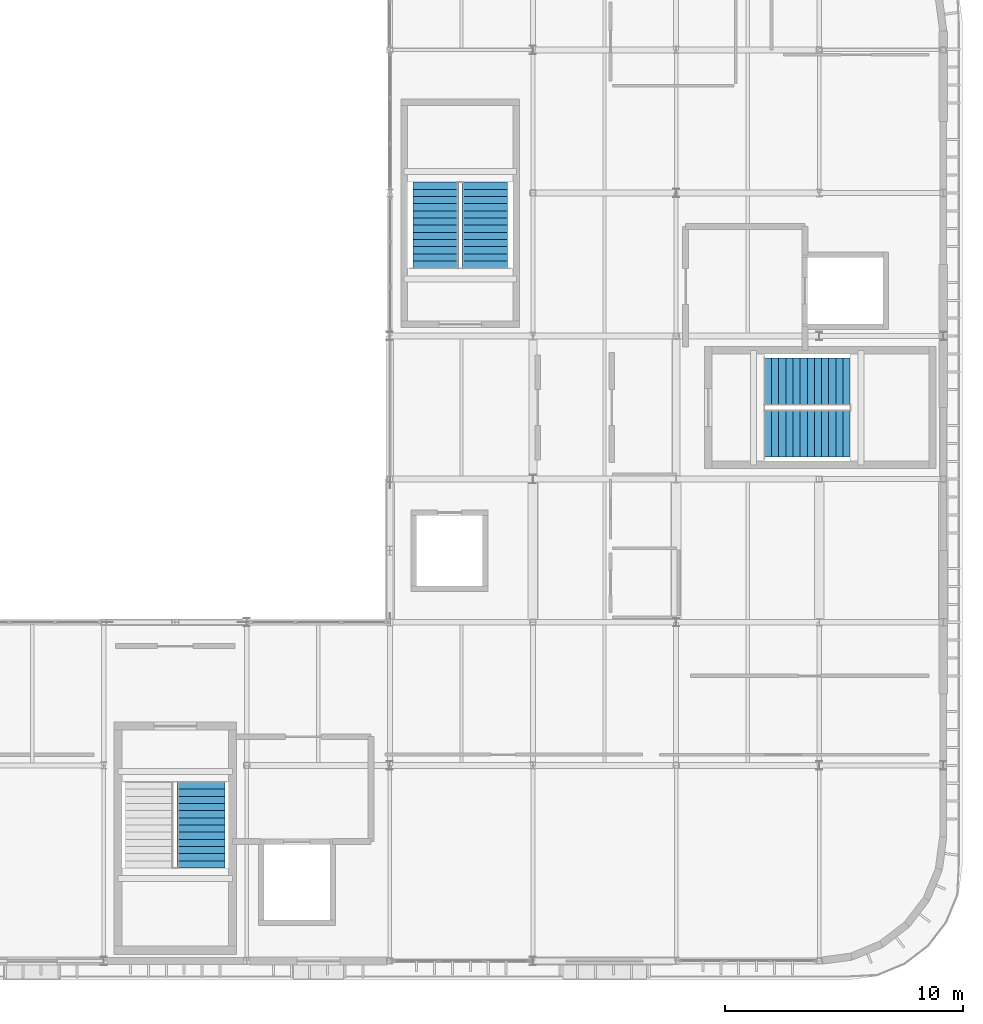
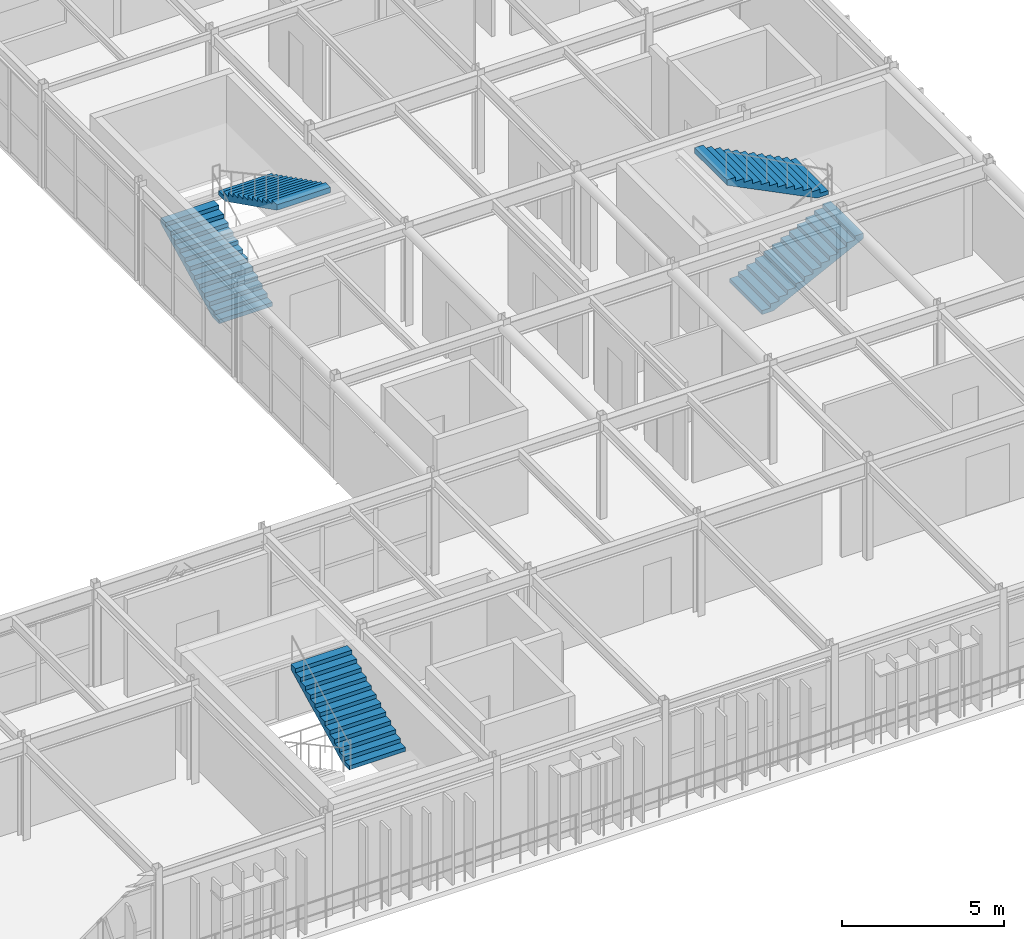
# One storey, part 53 of 63: 5 stair flights, 3 elements without a shape of their own.
"""IFC4 building model written with IfcOpenShell, lengths in metres."""

import ifcopenshell
import ifcopenshell.guid

model = None  # the IFC model being written
_history = None  # IfcOwnerHistory: only IFC2X3 demands one
_inside = {}  # id of a spatial element -> (the spatial element, [elements in it])
_under = {}  # id of a project, library or spatial element -> (it, [spatial elements below it])
_declared = {}  # id of a project -> (the project, [libraries it declares])
_typed = {}  # id of a type object -> (the type object, [elements of that type])
_made_of = {}  # id of a material, layer set ... -> (it, [elements and type objects made of it])


def new_model(schema):
    """Start an empty IFC model of exactly this schema.

    Asked for "IFC4X3", IfcOpenShell would pick the latest addendum, in which some entities
    have other attributes; the version numbers below select the first issue.
    IFC2X3 requires an IfcOwnerHistory on every rooted entity: one is made here for all.
    """
    global model, _history
    if schema == "IFC4X3":
        model = ifcopenshell.file(schema_version=(4, 3, 0, 0))
    else:
        model = ifcopenshell.file(schema=schema)
    _inside.clear()
    _under.clear()
    _declared.clear()
    _typed.clear()
    _made_of.clear()
    _history = None
    if model.schema == "IFC2X3":
        org = make("IfcOrganization", Name="unknown")
        user = make(
            "IfcPersonAndOrganization",
            ThePerson=make("IfcPerson", FamilyName="unknown"),
            TheOrganization=org,
        )
        app = make(
            "IfcApplication",
            ApplicationDeveloper=org,
            Version="unknown",
            ApplicationFullName="unknown",
            ApplicationIdentifier="unknown",
        )
        _history = make(
            "IfcOwnerHistory",
            OwningUser=user,
            OwningApplication=app,
            ChangeAction="ADDED",
            CreationDate=0,
        )
    return model


def make(cls, **values):
    """One entity of the class cls with the attributes given. An attribute that is None is left unset."""
    return model.create_entity(
        cls, **{name: value for name, value in values.items() if value is not None}
    )


def rooted(cls, **values):
    """An entity with a GlobalId (a new one), such as an element, a storey or a relation."""
    return make(cls, GlobalId=ifcopenshell.guid.new(), OwnerHistory=_history, **values)


def si_unit(unit_type, name, prefix=None):
    """IfcSIUnit, for example si_unit("LENGTHUNIT", "METRE", prefix="MILLI")."""
    return make("IfcSIUnit", UnitType=unit_type, Prefix=prefix, Name=name)


def assignment(units):
    """IfcUnitAssignment: the units of a project."""
    return None if units is None else make("IfcUnitAssignment", Units=units)


def point(xyz):
    """IfcCartesianPoint."""
    return None if xyz is None else make("IfcCartesianPoint", Coordinates=xyz)


def direction(xyz):
    """IfcDirection."""
    return None if xyz is None else make("IfcDirection", DirectionRatios=xyz)


def frame(location, z_axis=None, x_axis=None):
    """IfcAxis2Placement3D, a coordinate frame: its origin and axes. An axis left out is left unset."""
    return make(
        "IfcAxis2Placement3D",
        Location=point(location),
        Axis=direction(z_axis),
        RefDirection=direction(x_axis),
    )


def origin():
    """The frame at (0, 0, 0) with its axes left unset."""
    return frame((0.0, 0.0, 0.0))


def place(relative_to, where):
    """IfcLocalPlacement: puts the frame where relative to a parent placement (None: the world)."""
    return make(
        "IfcLocalPlacement", PlacementRelTo=relative_to, RelativePlacement=where
    )


def context(
    kind, dimensions, precision=None, world=None, true_north=None, identifier=None
):
    """IfcGeometricRepresentationContext, for example the 3D "Model" context."""
    return make(
        "IfcGeometricRepresentationContext",
        ContextIdentifier=identifier,
        ContextType=kind,
        CoordinateSpaceDimension=dimensions,
        Precision=precision,
        WorldCoordinateSystem=world,
        TrueNorth=true_north,
    )


def subcontext(parent, identifier, kind, view, scale=None):
    """IfcGeometricRepresentationSubContext, for example "Body" below "Model"."""
    return make(
        "IfcGeometricRepresentationSubContext",
        ContextIdentifier=identifier,
        ContextType=kind,
        ParentContext=parent,
        TargetScale=scale,
        TargetView=view,
    )


def project(units=None, contexts=None):
    """IfcProject with its units and contexts."""
    return rooted(
        "IfcProject",
        Name="project",
        RepresentationContexts=contexts,
        UnitsInContext=assignment(units),
    )


def spatial(cls, under=None, at=None, **own):
    """A site, building, storey or space (cls), placed at a placement, below another one or the project."""
    s = rooted(cls, ObjectPlacement=at, **own)
    if under is not None:
        _under.setdefault(under.id(), (under, []))[1].append(s)
    return s


def polyline(points):
    """IfcPolyline through the points."""
    return make("IfcPolyline", Points=[point(p) for p in points])


def outline(outer, holes=None, kind="AREA"):
    """IfcArbitraryClosedProfileDef: a profile drawn as a closed curve; with holes, ...WithVoids."""
    if holes is None:
        return make("IfcArbitraryClosedProfileDef", ProfileType=kind, OuterCurve=outer)
    return make(
        "IfcArbitraryProfileDefWithVoids",
        ProfileType=kind,
        OuterCurve=outer,
        InnerCurves=holes,
    )


def extrude(swept, where, along, depth):
    """IfcExtrudedAreaSolid: the profile swept, set in the frame where, extruded along a direction by depth."""
    return make(
        "IfcExtrudedAreaSolid",
        SweptArea=swept,
        Position=where,
        ExtrudedDirection=direction(along),
        Depth=depth,
    )


def shape(context_of_items, identifier, shape_type, items):
    """IfcShapeRepresentation: the items that make up one representation, for example the "Body"."""
    return make(
        "IfcShapeRepresentation",
        ContextOfItems=context_of_items,
        RepresentationIdentifier=identifier,
        RepresentationType=shape_type,
        Items=items,
    )


def material(Name=None, Category=None):
    """IfcMaterial."""
    return make("IfcMaterial", Name=Name, Category=Category)


def made_of(thing, what):
    """Note that an element or type object is made of a material, layer set ...; save() writes the relation."""
    if what is not None:
        _made_of.setdefault(what.id(), (what, []))[1].append(thing)
    return thing


def type_object(cls, material=None, **own):
    """A type object (cls), such as IfcWallType, which elements share."""
    return made_of(rooted(cls, **own), material)


def element(
    cls,
    number,
    at=None,
    inside=None,
    cuts=None,
    type_object=None,
    material=None,
    context=None,
    identifier="Body",
    shape_type=None,
    held_by="IfcProductDefinitionShape",
    body=None,
    shapes=None,
    **own,
):
    """One element of the class cls, such as IfcWall. Its Tag is "e" and its number.

    at: its placement. inside: the storey or other place that contains it. cuts: it is an
    opening in that element (IfcRelVoidsElement). A single representation is given by context,
    identifier, shape_type and body (its items); several are given by shapes. held_by: the class
    of the entity that holds the representations. save() writes the other relations.
    """
    e = rooted(cls, Tag="e%d" % number, ObjectPlacement=at, **own)
    if body is not None:
        shapes = [shape(context, identifier, shape_type, body)]
    if shapes is not None:
        e.Representation = make(held_by, Representations=shapes)
    if inside is not None:
        _inside.setdefault(inside.id(), (inside, []))[1].append(e)
    if cuts is not None:
        rooted(
            "IfcRelVoidsElement", RelatingBuildingElement=cuts, RelatedOpeningElement=e
        )
    if type_object is not None:
        _typed.setdefault(type_object.id(), (type_object, []))[1].append(e)
    return made_of(e, material)


def aggregate(whole, parts):
    """IfcRelAggregates: a whole, such as a stair, and the parts it consists of."""
    return rooted("IfcRelAggregates", RelatingObject=whole, RelatedObjects=parts)


def save(model, path):
    """Write the relations noted so far, then the file.

    IfcRelAggregates (storeys below a building ...), IfcRelContainedInSpatialStructure (elements
    in a storey), IfcRelDefinesByType, IfcRelAssociatesMaterial and IfcRelDeclares: one each for
    every whole, place, type object, material and project.
    """
    for whole, parts in _under.values():
        aggregate(whole, parts)
    for where, things in _inside.values():
        rooted(
            "IfcRelContainedInSpatialStructure",
            RelatedElements=things,
            RelatingStructure=where,
        )
    for kind, things in _typed.values():
        rooted("IfcRelDefinesByType", RelatedObjects=things, RelatingType=kind)
    for what, things in _made_of.values():
        rooted("IfcRelAssociatesMaterial", RelatedObjects=things, RelatingMaterial=what)
    for by, libraries in _declared.values():
        rooted("IfcRelDeclares", RelatingContext=by, RelatedDefinitions=libraries)
    model.write(path)


model = new_model("IFC4")

# Units and contexts
model_context = context("Model", 3, precision=1e-05, world=origin(), true_north=direction((0.0, 1.0)))
body_context = subcontext(model_context, "Body", "Model", "MODEL_VIEW")
ifc_project = project(units=[si_unit("LENGTHUNIT", "METRE"), si_unit("AREAUNIT", "SQUARE_METRE"), si_unit("VOLUMEUNIT", "CUBIC_METRE"), si_unit("PLANEANGLEUNIT", "RADIAN"), si_unit("MASSUNIT", "GRAM", prefix="KILO")], contexts=[model_context])

# Site, building, storey
site_placement = place(None, origin())
site = spatial("IfcSite", under=ifc_project, at=site_placement, CompositionType="ELEMENT")
building_placement = place(site_placement, origin())
building = spatial("IfcBuilding", under=site, at=building_placement, Name="Varnakota Square Police Headquarters", CompositionType="ELEMENT")
storey_placement = place(building_placement, frame((0.0, 0.0, 22.199951171875)))
storey = spatial("IfcBuildingStorey", under=building, at=storey_placement, Name="L05", CompositionType="ELEMENT", Elevation=22.199951171875)

# Stair, stair flights
ifc_material = material(Name="Concrete M40", Category="concrete")
stair_type_1 = type_object("IfcStairType", Name="STR-DOG-1900", PredefinedType="USERDEFINED", material=ifc_material)
stair_1_placement = place(storey_placement, origin())
stair_1 = element("IfcStair", 1, at=stair_1_placement, inside=storey, type_object=stair_type_1, Name="Protected exit stair ST3 (L05)", ObjectType="TWO_RETURN_STAIR", PredefinedType="USERDEFINED")
stair_flight_type_1 = type_object("IfcStairFlightType", Name="SFL-DOG-1900", PredefinedType="STRAIGHT", material=ifc_material)
stair_flight_1_placement = place(storey_placement, frame((139.919921875, 29.85009765625, 0.0), z_axis=(0.0, 0.0, 1.0), x_axis=(0.0, 1.0, 0.0)))
stair_flight_1 = element("IfcStairFlight", 2, at=stair_flight_1_placement, type_object=stair_flight_type_1, Name="ST3-L05 flight 1", NumberOfRisers=13, NumberOfTreads=12, PredefinedType="STRAIGHT", RiserHeight=0.15, TreadLength=0.3, context=body_context, shape_type="SweptSolid", body=[
    extrude(outline(polyline([(0.0, 0.0), (0.0, 0.14990234375), (0.300048828125, 0.14990234375), (0.300048828125, 0.300048828125), (0.60009765625, 0.300048828125), (0.60009765625, 0.449951171875), (0.900146484375, 0.449951171875), (0.900146484375, 0.60009765625), (1.2001953125, 0.60009765625), (1.2001953125, 0.75), (1.500244140625, 0.75), (1.500244140625, 0.89990234375), (1.80029296875, 0.89990234375), (1.80029296875, 1.050048828125), (2.100341796875, 1.050048828125), (2.100341796875, 1.199951171875), (2.400390625, 1.199951171875), (2.400390625, 1.35009765625), (2.700439453125, 1.35009765625), (2.700439453125, 1.5), (3.00048828125, 1.5), (3.00048828125, 1.64990234375), (3.300537109375, 1.64990234375), (3.300537109375, 1.800048828125), (3.6005859375, 1.800048828125), (3.6005859375, 1.949951171875), (3.6005859375, 1.598876953125), (0.40234375, 0.0), (0.0, 0.0)])), frame((0.0, 0.949951171875, 0.0), z_axis=(0.0, -1.0, 0.0), x_axis=(1.0, 0.0, 0.0)), (0.0, 0.0, 1.0), 1.89990234375),
])
stair_flight_2_placement = place(storey_placement, frame((141.97998046875, 33.45068359375, 1.949951171875), z_axis=(0.0, 0.0, 1.0), x_axis=(0.0, -1.0, 0.0)))
stair_flight_2 = element("IfcStairFlight", 3, at=stair_flight_2_placement, type_object=stair_flight_type_1, Name="ST3-L05 flight 2", NumberOfRisers=13, NumberOfTreads=12, PredefinedType="STRAIGHT", RiserHeight=0.15, TreadLength=0.3, context=body_context, shape_type="SweptSolid", body=[
    extrude(outline(polyline([(0.0, 0.0), (0.0, 0.14990234375), (0.300048828125, 0.14990234375), (0.300048828125, 0.300048828125), (0.60009765625, 0.300048828125), (0.60009765625, 0.449951171875), (0.900146484375, 0.449951171875), (0.900146484375, 0.60009765625), (1.2001953125, 0.60009765625), (1.2001953125, 0.75), (1.500244140625, 0.75), (1.500244140625, 0.89990234375), (1.80029296875, 0.89990234375), (1.80029296875, 1.050048828125), (2.100341796875, 1.050048828125), (2.100341796875, 1.199951171875), (2.400390625, 1.199951171875), (2.400390625, 1.35009765625), (2.700439453125, 1.35009765625), (2.700439453125, 1.5), (3.00048828125, 1.5), (3.00048828125, 1.64990234375), (3.300537109375, 1.64990234375), (3.300537109375, 1.800048828125), (3.6005859375, 1.800048828125), (3.6005859375, 1.949951171875), (3.6005859375, 1.598876953125), (0.40234375, 0.0), (0.0, 0.0)])), frame((0.0, 0.949951171875, 0.0), z_axis=(0.0, -1.0, 0.0), x_axis=(1.0, 0.0, 0.0)), (0.0, 0.0, 1.0), 1.89990234375),
])
aggregate(stair_1, [stair_flight_1, stair_flight_2])

# Stair, stair flight
stair_type_2 = type_object("IfcStairType", Name="STR-DOG-2000", PredefinedType="USERDEFINED", material=ifc_material)
stair_2_placement = place(storey_placement, origin())
stair_2 = element("IfcStair", 4, at=stair_2_placement, inside=storey, type_object=stair_type_2, Name="Protected exit stair ST1 (L05)", ObjectType="TWO_RETURN_STAIR", PredefinedType="USERDEFINED")
stair_flight_type_2 = type_object("IfcStairFlightType", Name="SFL-DOG-2000", PredefinedType="STRAIGHT", material=ifc_material)
stair_flight_3_placement = place(storey_placement, frame((130.080078125, 4.699462890625, 1.949951171875), z_axis=(0.0, 0.0, 1.0), x_axis=(0.0, 1.0, 0.0)))
stair_flight_3 = element("IfcStairFlight", 5, at=stair_flight_3_placement, type_object=stair_flight_type_2, Name="ST1-L05 flight 2", NumberOfRisers=13, NumberOfTreads=12, PredefinedType="STRAIGHT", RiserHeight=0.15, TreadLength=0.3, context=body_context, shape_type="SweptSolid", body=[
    extrude(outline(polyline([(0.0, 0.0), (0.0, 0.14990234375), (0.300048828125, 0.14990234375), (0.300048828125, 0.300048828125), (0.60009765625, 0.300048828125), (0.60009765625, 0.449951171875), (0.900146484375, 0.449951171875), (0.900146484375, 0.60009765625), (1.2001953125, 0.60009765625), (1.2001953125, 0.75), (1.500244140625, 0.75), (1.500244140625, 0.89990234375), (1.80029296875, 0.89990234375), (1.80029296875, 1.050048828125), (2.100341796875, 1.050048828125), (2.100341796875, 1.199951171875), (2.400390625, 1.199951171875), (2.400390625, 1.35009765625), (2.700439453125, 1.35009765625), (2.700439453125, 1.5), (3.00048828125, 1.5), (3.00048828125, 1.64990234375), (3.300537109375, 1.64990234375), (3.300537109375, 1.800048828125), (3.6005859375, 1.800048828125), (3.6005859375, 1.949951171875), (3.6005859375, 1.598876953125), (0.40234375, 0.0), (0.0, 0.0)])), frame((0.0, 1.0, 0.0), z_axis=(0.0, -1.0, 0.0), x_axis=(1.0, 0.0, 0.0)), (0.0, 0.0, 1.0), 2.0),
])
aggregate(stair_2, [stair_flight_3])

# Stair, stair flights
stair_3_placement = place(storey_placement, origin())
stair_3 = element("IfcStair", 6, at=stair_3_placement, inside=storey, type_object=stair_type_2, Name="Protected exit stair ST2 (L05)", ObjectType="TWO_RETURN_STAIR", PredefinedType="USERDEFINED")
stair_flight_4_placement = place(storey_placement, frame((153.699951171875, 22.919921875, 0.0), z_axis=(0.0, 0.0, 1.0), x_axis=(1.0, 0.0, 0.0)))
stair_flight_4 = element("IfcStairFlight", 7, at=stair_flight_4_placement, type_object=stair_flight_type_2, Name="ST2-L05 flight 1", NumberOfRisers=13, NumberOfTreads=12, PredefinedType="STRAIGHT", RiserHeight=0.15, TreadLength=0.3, context=body_context, shape_type="SweptSolid", body=[
    extrude(outline(polyline([(0.0, 0.0), (0.0, 0.14990234375), (0.300048828125, 0.14990234375), (0.300048828125, 0.300048828125), (0.60009765625, 0.300048828125), (0.60009765625, 0.449951171875), (0.900146484375, 0.449951171875), (0.900146484375, 0.60009765625), (1.2001953125, 0.60009765625), (1.2001953125, 0.75), (1.500244140625, 0.75), (1.500244140625, 0.89990234375), (1.80029296875, 0.89990234375), (1.80029296875, 1.050048828125), (2.100341796875, 1.050048828125), (2.100341796875, 1.199951171875), (2.400390625, 1.199951171875), (2.400390625, 1.35009765625), (2.700439453125, 1.35009765625), (2.700439453125, 1.5), (3.00048828125, 1.5), (3.00048828125, 1.64990234375), (3.300537109375, 1.64990234375), (3.300537109375, 1.800048828125), (3.6005859375, 1.800048828125), (3.6005859375, 1.949951171875), (3.6005859375, 1.598876953125), (0.40234375, 0.0), (0.0, 0.0)])), frame((0.0, 1.0, 0.0), z_axis=(0.0, -1.0, 0.0), x_axis=(1.0, 0.0, 0.0)), (0.0, 0.0, 1.0), 2.0),
])
stair_flight_5_placement = place(storey_placement, frame((157.300537109375, 25.080078125, 1.949951171875), z_axis=(0.0, 0.0, 1.0), x_axis=(-1.0, 0.0, 0.0)))
stair_flight_5 = element("IfcStairFlight", 8, at=stair_flight_5_placement, type_object=stair_flight_type_2, Name="ST2-L05 flight 2", NumberOfRisers=13, NumberOfTreads=12, PredefinedType="STRAIGHT", RiserHeight=0.15, TreadLength=0.3, context=body_context, shape_type="SweptSolid", body=[
    extrude(outline(polyline([(0.0, 0.0), (0.0, 0.14990234375), (0.300048828125, 0.14990234375), (0.300048828125, 0.300048828125), (0.60009765625, 0.300048828125), (0.60009765625, 0.449951171875), (0.900146484375, 0.449951171875), (0.900146484375, 0.60009765625), (1.2001953125, 0.60009765625), (1.2001953125, 0.75), (1.500244140625, 0.75), (1.500244140625, 0.89990234375), (1.80029296875, 0.89990234375), (1.80029296875, 1.050048828125), (2.100341796875, 1.050048828125), (2.100341796875, 1.199951171875), (2.400390625, 1.199951171875), (2.400390625, 1.35009765625), (2.700439453125, 1.35009765625), (2.700439453125, 1.5), (3.00048828125, 1.5), (3.00048828125, 1.64990234375), (3.300537109375, 1.64990234375), (3.300537109375, 1.800048828125), (3.6005859375, 1.800048828125), (3.6005859375, 1.949951171875), (3.6005859375, 1.598876953125), (0.40234375, 0.0), (0.0, 0.0)])), frame((0.0, 1.0, 0.0), z_axis=(0.0, -1.0, 0.0), x_axis=(1.0, 0.0, 0.0)), (0.0, 0.0, 1.0), 2.0),
])
aggregate(stair_3, [stair_flight_4, stair_flight_5])

save(model, "model.ifc")
